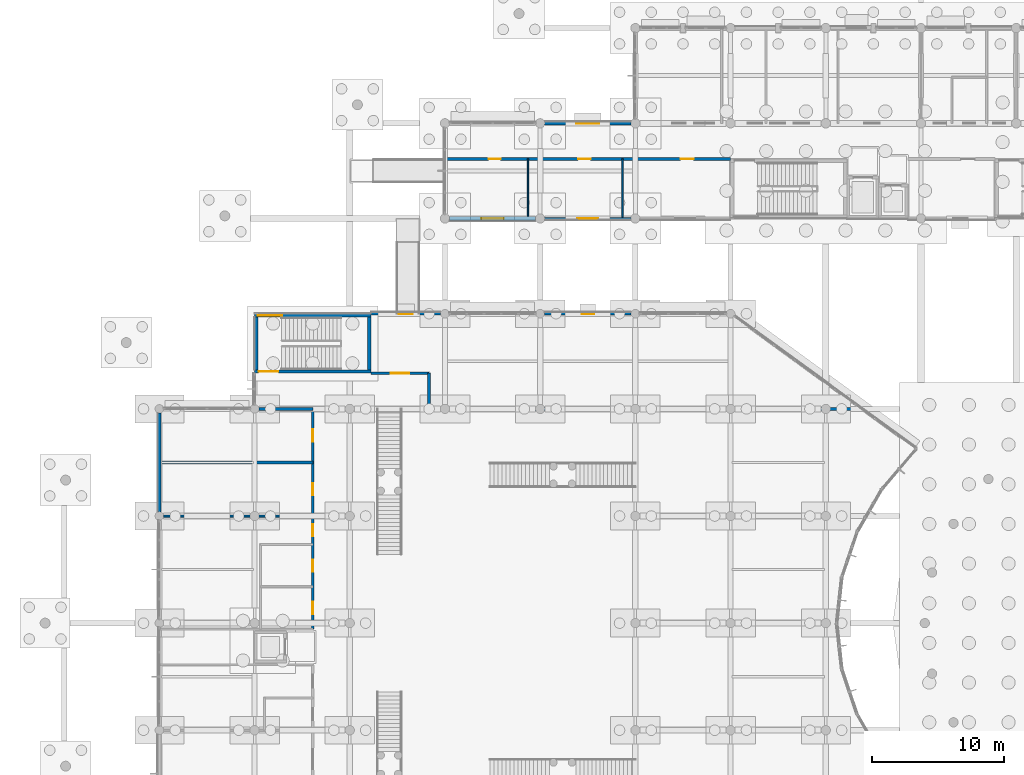
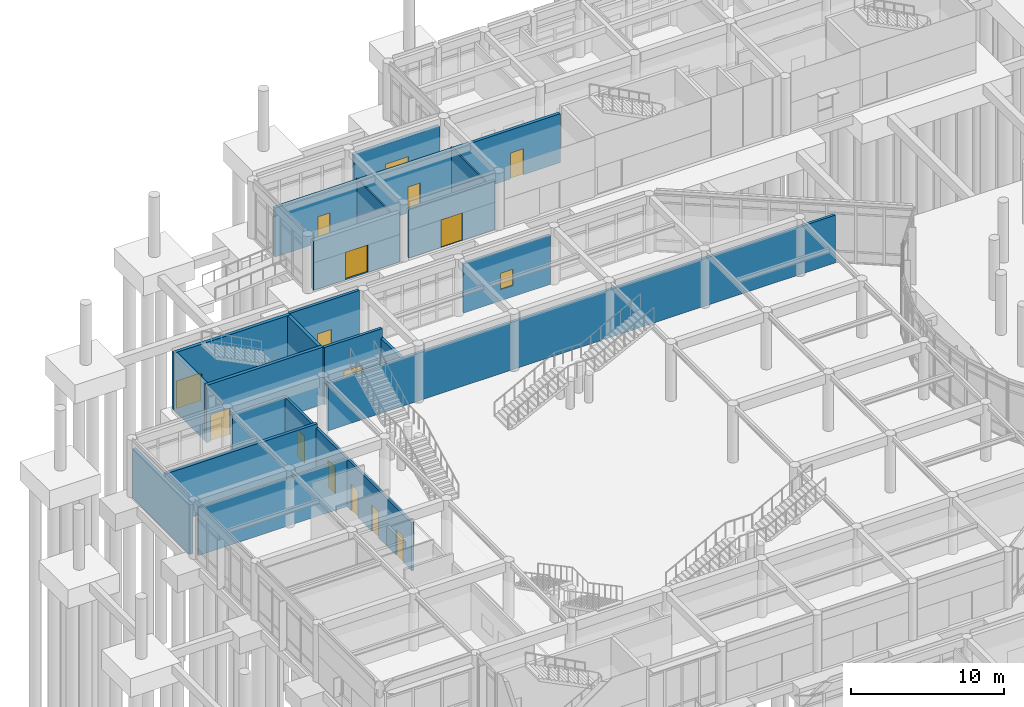
# One storey, part 57 of 103: 20 walls, 13 doors, 3 windows, 16 openings.
"""IFC4 building model written with IfcOpenShell, lengths in metres."""

from ifc_helpers import new_model, si_unit, direction, frame, frame_2d, origin, place, context, subcontext, project, spatial, rectangle, extrude, material, layer, layer_set, type_object, element, fill, save


model = new_model("IFC4")

# Units and contexts
model_context = context("Model", 3, precision=1e-05, world=origin(), true_north=direction((0.0, 1.0)))
body_context = subcontext(model_context, "Body", "Model", "MODEL_VIEW")
ifc_project = project(units=[si_unit("LENGTHUNIT", "METRE"), si_unit("AREAUNIT", "SQUARE_METRE"), si_unit("VOLUMEUNIT", "CUBIC_METRE"), si_unit("PLANEANGLEUNIT", "RADIAN"), si_unit("MASSUNIT", "GRAM", prefix="KILO")], contexts=[model_context])

# Site, building, storey
site_placement = place(None, origin())
site = spatial("IfcSite", under=ifc_project, at=site_placement, CompositionType="ELEMENT")
building_placement = place(site_placement, origin())
building = spatial("IfcBuilding", under=site, at=building_placement, Name="Namkhue Oval Health Centre", CompositionType="ELEMENT")
storey_placement = place(building_placement, origin())
storey = spatial("IfcBuildingStorey", under=building, at=storey_placement, Name="L00", CompositionType="ELEMENT", Elevation=0.0)

# Wall, opening, door
ifc_material_1 = material(Name="Autoclaved aerated concrete blockwork M7.5", Category="masonry")
ifc_layer_1 = layer(ifc_material_1, 0.179931640625)
ifc_layer_set_1 = layer_set([ifc_layer_1], Name="Autoclaved aerated concrete blockwork M7.5")
wall_type_1 = type_object("IfcWallType", Name="EXTERIOR ENVELOPE WALL 180", PredefinedType="STANDARD", material=ifc_layer_set_1)
wall_1_placement = place(storey_placement, frame((43.544921875, 90.0, 0.0), z_axis=(0.0, 0.0, 1.0), x_axis=(1.0, 0.0, 0.0)))
wall_1 = element("IfcWall", 1, at=wall_1_placement, inside=storey, type_object=wall_type_1, Name="Volume V2 L00 Exterior Envelope Wall 17", PredefinedType="STANDARD", context=body_context, shape_type="SweptSolid", body=[
    extrude(rectangle(XDim=6.510009765625, YDim=0.179931640625, at=frame_2d((3.2548828125, 0.0))), origin(), (0.0, 0.0, 1.0), 3.909912109375),
])
opening_1_placement = place(wall_1_placement, frame((2.455078125, 0.0, 0.0)))
opening_1 = element("IfcOpeningElement", 2, at=opening_1_placement, cuts=wall_1, Name="Opening ED-05", PredefinedType="OPENING", context=body_context, shape_type="SweptSolid", body=[
    extrude(rectangle(XDim=1.60009765625, YDim=2.199951171875, at=frame_2d((0.800048828125, 1.10009765625))), frame((0.0, 0.099853515625, 0.0), z_axis=(0.0, -1.0, 0.0), x_axis=(1.0, 0.0, 0.0)), (0.0, 0.0, 1.0), 0.199951171875),
])
ifc_material_2 = material(Name="Anodised aluminium glazed entrance door", Category="aluminium")
door_type_1 = type_object("IfcDoorType", Name="ENTRANCE DOOR 1600X2200", OperationType="DOUBLE_DOOR_SINGLE_SWING", PredefinedType="DOOR", material=ifc_material_2)
door_1_placement = place(opening_1_placement, frame((1.60009765625, 0.0, 0.0), z_axis=(0.0, 0.0, 1.0), x_axis=(-1.0, 0.0, 0.0)))
door_1 = element("IfcDoor", 3, at=door_1_placement, inside=storey, type_object=door_type_1, Name="Volume V2 Main Pedestrian Entrance Exit Door 5", OperationType="DOUBLE_DOOR_SINGLE_SWING", OverallHeight=2.199951171875, OverallWidth=1.60009765625, PredefinedType="DOOR", context=body_context, shape_type="SweptSolid", body=[
    extrude(rectangle(XDim=1.60009765625, YDim=2.199951171875, at=frame_2d((0.800048828125, 1.10009765625))), frame((0.0, 0.02490234375, 0.0), z_axis=(0.0, -1.0, 0.0), x_axis=(1.0, 0.0, 0.0)), (0.0, 0.0, 1.0), 0.050048828125),
])
fill(opening_1, door_1)

# Wall, opening, window
ifc_layer_2 = layer(ifc_material_1, 0.2099609375)
ifc_layer_set_2 = layer_set([ifc_layer_2], Name="Autoclaved aerated concrete blockwork M7.5")
wall_type_2 = type_object("IfcWallType", Name="EXTERIOR ENVELOPE WALL 210", PredefinedType="STANDARD", material=ifc_layer_set_2)
wall_2_placement = place(storey_placement, frame((50.080078125, 82.800048828125, 0.0), z_axis=(0.0, 0.0, 1.0), x_axis=(-1.0, 0.0, 0.0)))
wall_2 = element("IfcWall", 4, at=wall_2_placement, inside=storey, type_object=wall_type_2, Name="Volume V1 L00 Exterior Envelope Wall 4", PredefinedType="STANDARD", context=body_context, shape_type="SweptSolid", body=[
    extrude(rectangle(XDim=6.56005859375, YDim=0.2099609375, at=frame_2d((3.280029296875, 0.0))), origin(), (0.0, 0.0, 1.0), 3.9150390625),
])
opening_2_placement = place(wall_2_placement, frame((2.804931640625, 0.0, 0.89990234375)))
opening_2 = element("IfcOpeningElement", 5, at=opening_2_placement, cuts=wall_2, Name="Opening WN-01", PredefinedType="OPENING", context=body_context, shape_type="SweptSolid", body=[
    extrude(rectangle(XDim=0.949951171875, YDim=1.300048828125, at=frame_2d((0.47509765625, 0.64990234375))), frame((0.0, 0.114990234375, 0.0), z_axis=(0.0, -1.0, 0.0), x_axis=(1.0, 0.0, 0.0)), (0.0, 0.0, 1.0), 0.22998046875),
])
ifc_material_3 = material(Name="Thermally broken low-E laminated double glazing", Category="glass")
window_type_1 = type_object("IfcWindowType", Name="EXTERIOR WINDOW 950X1300", PartitioningType="SINGLE_PANEL", PredefinedType="WINDOW", material=ifc_material_3)
window_1_placement = place(opening_2_placement, origin())
window_1 = element("IfcWindow", 6, at=window_1_placement, inside=storey, type_object=window_type_1, Name="Volume V1 L00 Exterior Window 1", OverallHeight=1.300048828125, OverallWidth=0.949951171875, PartitioningType="SINGLE_PANEL", PredefinedType="WINDOW", context=body_context, shape_type="SweptSolid", body=[
    extrude(rectangle(XDim=0.949951171875, YDim=1.300048828125, at=frame_2d((0.47509765625, 0.64990234375))), frame((0.0, 0.030029296875, 0.0), z_axis=(0.0, -1.0, 0.0), x_axis=(1.0, 0.0, 0.0)), (0.0, 0.0, 1.0), 0.06005859375),
])
fill(opening_2, window_1)

ifc_layer_3 = layer(ifc_material_1, 0.219970703125)
ifc_layer_set_3 = layer_set([ifc_layer_3], Name="Autoclaved aerated concrete blockwork M7.5")
wall_type_3 = type_object("IfcWallType", Name="EXTERIOR ENVELOPE WALL 220", PredefinedType="STANDARD", material=ifc_layer_set_3)
wall_3_placement = place(storey_placement, frame((35.679931640625, 82.800048828125, 0.0), z_axis=(0.0, 0.0, 1.0), x_axis=(-1.0, 0.0, 0.0)))
wall_3 = element("IfcWall", 7, at=wall_3_placement, inside=storey, type_object=wall_type_3, Name="Volume V1 L00 Exterior Envelope Wall 5", PredefinedType="STANDARD", context=body_context, shape_type="SweptSolid", body=[
    extrude(rectangle(XDim=5.27783203125, YDim=0.219970703125, at=frame_2d((2.638916015625, 0.0))), origin(), (0.0, 0.0, 1.0), 4.56494140625),
])
opening_3_placement = place(wall_3_placement, frame((2.114013671875, 0.0, 0.89990234375)))
opening_3 = element("IfcOpeningElement", 8, at=opening_3_placement, cuts=wall_3, Name="Opening WN-02", PredefinedType="OPENING", context=body_context, shape_type="SweptSolid", body=[
    extrude(rectangle(XDim=1.050048828125, YDim=1.300048828125, at=frame_2d((0.52490234375, 0.64990234375))), frame((0.0, 0.119873046875, 0.0), z_axis=(0.0, -1.0, 0.0), x_axis=(1.0, 0.0, 0.0)), (0.0, 0.0, 1.0), 0.239990234375),
])
window_type_2 = type_object("IfcWindowType", Name="EXTERIOR WINDOW 1050X1300", PartitioningType="SINGLE_PANEL", PredefinedType="WINDOW", material=ifc_material_3)
window_2_placement = place(opening_3_placement, origin())
window_2 = element("IfcWindow", 9, at=window_2_placement, inside=storey, type_object=window_type_2, Name="Volume V1 L00 Exterior Window 2", OverallHeight=1.300048828125, OverallWidth=1.050048828125, PartitioningType="SINGLE_PANEL", PredefinedType="WINDOW", context=body_context, shape_type="SweptSolid", body=[
    extrude(rectangle(XDim=1.050048828125, YDim=1.300048828125, at=frame_2d((0.52490234375, 0.64990234375))), frame((0.0, 0.030029296875, 0.0), z_axis=(0.0, -1.0, 0.0), x_axis=(1.0, 0.0, 0.0)), (0.0, 0.0, 1.0), 0.06005859375),
])
fill(opening_3, window_2)

# Wall
ifc_layer_4 = layer(ifc_material_1, 0.22998046875)
ifc_layer_set_4 = layer_set([ifc_layer_4], Name="Autoclaved aerated concrete blockwork M7.5")
wall_type_4 = type_object("IfcWallType", Name="EXTERIOR ENVELOPE WALL 230", PredefinedType="STANDARD", material=ifc_layer_set_4)
wall_4_placement = place(storey_placement, frame((14.39990234375, 75.280029296875, 0.0), z_axis=(0.0, 0.0, 1.0), x_axis=(0.0, -1.0, 0.0)))
element("IfcWall", 10, at=wall_4_placement, inside=storey, type_object=wall_type_4, Name="Volume V1 L00 Exterior Envelope Wall 6", PredefinedType="STANDARD", context=body_context, shape_type="SweptSolid", body=[
    extrude(rectangle(XDim=7.4599609375, YDim=0.22998046875, at=frame_2d((3.72998046875, 0.0))), origin(), (0.0, 0.0, 1.0), 3.93994140625),
])

# Wall, opening, window
ifc_layer_5 = layer(ifc_material_1, 0.27001953125)
ifc_layer_set_5 = layer_set([ifc_layer_5], Name="Autoclaved aerated concrete blockwork M7.5")
wall_type_5 = type_object("IfcWallType", Name="EXTERIOR ENVELOPE WALL 270", PredefinedType="STANDARD", material=ifc_layer_set_5)
wall_5_placement = place(storey_placement, frame((50.054931640625, 97.199951171875, 0.0), z_axis=(0.0, 0.0, 1.0), x_axis=(-1.0, 0.0, 0.0)))
wall_5 = element("IfcWall", 11, at=wall_5_placement, inside=storey, type_object=wall_type_5, Name="Volume V2 L00 Exterior Envelope Wall 26", PredefinedType="STANDARD", context=body_context, shape_type="SweptSolid", body=[
    extrude(rectangle(XDim=6.510009765625, YDim=0.27001953125, at=frame_2d((3.2548828125, 0.0))), origin(), (0.0, 0.0, 1.0), 3.909912109375),
])
opening_4_placement = place(wall_5_placement, frame((2.3798828125, 0.0, 0.89990234375)))
opening_4 = element("IfcOpeningElement", 12, at=opening_4_placement, cuts=wall_5, Name="Opening WN-17", PredefinedType="OPENING", context=body_context, shape_type="SweptSolid", body=[
    extrude(rectangle(XDim=1.75, YDim=1.419921875, at=frame_2d((0.875, 0.7099609375))), frame((0.0, 0.14501953125, 0.0), z_axis=(0.0, -1.0, 0.0), x_axis=(1.0, 0.0, 0.0)), (0.0, 0.0, 1.0), 0.2900390625),
])
window_type_3 = type_object("IfcWindowType", Name="EXTERIOR WINDOW 1750X1420", PartitioningType="SINGLE_PANEL", PredefinedType="WINDOW", material=ifc_material_3)
window_3_placement = place(opening_4_placement, origin())
window_3 = element("IfcWindow", 13, at=window_3_placement, inside=storey, type_object=window_type_3, Name="Volume V2 L00 Exterior Window 17", OverallHeight=1.419921875, OverallWidth=1.75, PartitioningType="SINGLE_PANEL", PredefinedType="WINDOW", context=body_context, shape_type="SweptSolid", body=[
    extrude(rectangle(XDim=1.75, YDim=1.419921875, at=frame_2d((0.875, 0.7099609375))), frame((0.0, 0.030029296875, 0.0), z_axis=(0.0, -1.0, 0.0), x_axis=(1.0, 0.0, 0.0)), (0.0, 0.0, 1.0), 0.06005859375),
])
fill(opening_4, window_3)

# Wall, opening, door
ifc_layer_6 = layer(ifc_material_1, 0.330078125)
ifc_layer_set_6 = layer_set([ifc_layer_6], Name="Autoclaved aerated concrete blockwork M7.5")
wall_type_6 = type_object("IfcWallType", Name="EXTERIOR ENVELOPE WALL 330", PredefinedType="STANDARD", material=ifc_layer_set_6)
wall_6_placement = place(storey_placement, frame((36.344970703125, 90.0, 0.0), z_axis=(0.0, 0.0, 1.0), x_axis=(1.0, 0.0, 0.0)))
wall_6 = element("IfcWall", 14, at=wall_6_placement, inside=storey, type_object=wall_type_6, Name="Volume V2 L00 Exterior Envelope Wall 16", PredefinedType="STANDARD", context=body_context, shape_type="SweptSolid", body=[
    extrude(rectangle(XDim=6.510009765625, YDim=0.330078125, at=frame_2d((3.2548828125, 0.0))), origin(), (0.0, 0.0, 1.0), 3.909912109375),
])
opening_5_placement = place(wall_6_placement, frame((2.4150390625, 0.0, 0.0)))
opening_5 = element("IfcOpeningElement", 15, at=opening_5_placement, cuts=wall_6, Name="Opening ED-04", PredefinedType="OPENING", context=body_context, shape_type="SweptSolid", body=[
    extrude(rectangle(XDim=1.679931640625, YDim=2.199951171875, at=frame_2d((0.83984375, 1.10009765625))), frame((0.0, 0.175048828125, 0.0), z_axis=(0.0, -1.0, 0.0), x_axis=(1.0, 0.0, 0.0)), (0.0, 0.0, 1.0), 0.35009765625),
])
door_type_2 = type_object("IfcDoorType", Name="ENTRANCE DOOR 1680X2200", OperationType="DOUBLE_DOOR_SINGLE_SWING", PredefinedType="DOOR", material=ifc_material_2)
door_2_placement = place(opening_5_placement, frame((1.679931640625, 0.0, 0.0), z_axis=(0.0, 0.0, 1.0), x_axis=(-1.0, 0.0, 0.0)))
door_2 = element("IfcDoor", 16, at=door_2_placement, inside=storey, type_object=door_type_2, Name="Volume V2 Main Pedestrian Entrance Exit Door 4", OperationType="DOUBLE_DOOR_SINGLE_SWING", OverallHeight=2.199951171875, OverallWidth=1.679931640625, PredefinedType="DOOR", context=body_context, shape_type="SweptSolid", body=[
    extrude(rectangle(XDim=1.679931640625, YDim=2.199951171875, at=frame_2d((0.83984375, 1.10009765625))), frame((0.0, 0.02490234375, 0.0), z_axis=(0.0, -1.0, 0.0), x_axis=(1.0, 0.0, 0.0)), (0.0, 0.0, 1.0), 0.050048828125),
])
fill(opening_5, door_2)

# Wall, openings, doors
ifc_material_4 = material(Name="Gypsum plasterboard acoustic partition", Category="gypsum")
ifc_layer_7 = layer(ifc_material_4, 0.18505859375)
ifc_layer_set_7 = layer_set([ifc_layer_7], Name="Gypsum plasterboard acoustic partition")
wall_type_7 = type_object("IfcWallType", Name="FIRE PARTITION WALL 185", PredefinedType="PARTITIONING", material=ifc_layer_set_7)
wall_7_placement = place(storey_placement, frame((26.0, 58.949951171875, 0.0), z_axis=(0.0, 0.0, 1.0), x_axis=(0.0, 1.0, 0.0)))
wall_7 = element("IfcWall", 17, at=wall_7_placement, inside=storey, type_object=wall_type_7, Name="Volume V1 L00 Clinical Partition Wall 2", PredefinedType="PARTITIONING", context=body_context, shape_type="SweptSolid", body=[
    extrude(rectangle(XDim=16.650146484375, YDim=0.18505859375, at=frame_2d((8.3251953125, 0.0))), origin(), (0.0, 0.0, 1.0), 3.81494140625),
])
opening_6_placement = place(wall_7_placement, frame((1.1298828125, 0.0, 0.0)))
opening_6 = element("IfcOpeningElement", 18, at=opening_6_placement, cuts=wall_7, Name="Opening CD-02", PredefinedType="OPENING", context=body_context, shape_type="SweptSolid", body=[
    extrude(rectangle(XDim=0.93994140625, YDim=2.080078125, at=frame_2d((0.469970703125, 1.0400390625))), frame((0.0, 0.1025390625, 0.0), z_axis=(0.0, -1.0, 0.0), x_axis=(1.0, 0.0, 0.0)), (0.0, 0.0, 1.0), 0.205078125),
])
opening_7_placement = place(wall_7_placement, frame((4.35009765625, 0.0, 0.0)))
opening_7 = element("IfcOpeningElement", 19, at=opening_7_placement, cuts=wall_7, Name="Opening CD-01", PredefinedType="OPENING", context=body_context, shape_type="SweptSolid", body=[
    extrude(rectangle(XDim=0.89990234375, YDim=2.080078125, at=frame_2d((0.449951171875, 1.0400390625))), frame((0.0, 0.1025390625, 0.0), z_axis=(0.0, -1.0, 0.0), x_axis=(1.0, 0.0, 0.0)), (0.0, 0.0, 1.0), 0.205078125),
])
opening_8_placement = place(wall_7_placement, frame((7.02001953125, 0.0, 0.0)))
opening_8 = element("IfcOpeningElement", 20, at=opening_8_placement, cuts=wall_7, Name="Opening CD-07", PredefinedType="OPENING", context=body_context, shape_type="SweptSolid", body=[
    extrude(rectangle(XDim=0.89990234375, YDim=2.1298828125, at=frame_2d((0.449951171875, 1.06494140625))), frame((0.0, 0.1025390625, 0.0), z_axis=(0.0, -1.0, 0.0), x_axis=(1.0, 0.0, 0.0)), (0.0, 0.0, 1.0), 0.205078125),
])
opening_9_placement = place(wall_7_placement, frame((10.1201171875, 0.0, 0.0)))
opening_9 = element("IfcOpeningElement", 21, at=opening_9_placement, cuts=wall_7, Name="Opening CD-07", PredefinedType="OPENING", context=body_context, shape_type="SweptSolid", body=[
    extrude(rectangle(XDim=0.89990234375, YDim=2.1298828125, at=frame_2d((0.449951171875, 1.06494140625))), frame((0.0, 0.1025390625, 0.0), z_axis=(0.0, -1.0, 0.0), x_axis=(1.0, 0.0, 0.0)), (0.0, 0.0, 1.0), 0.205078125),
])
opening_10_placement = place(wall_7_placement, frame((14.155029296875, 0.0, 0.0)))
opening_10 = element("IfcOpeningElement", 22, at=opening_10_placement, cuts=wall_7, Name="Opening CD-08", PredefinedType="OPENING", context=body_context, shape_type="SweptSolid", body=[
    extrude(rectangle(XDim=0.949951171875, YDim=2.1298828125, at=frame_2d((0.47509765625, 1.06494140625))), frame((0.0, 0.1025390625, 0.0), z_axis=(0.0, -1.0, 0.0), x_axis=(1.0, 0.0, 0.0)), (0.0, 0.0, 1.0), 0.205078125),
])
ifc_material_5 = material(Name="High-pressure laminate timber clinical door", Category="wood")
door_type_3 = type_object("IfcDoorType", Name="CLINICAL DOOR 900X2080", OperationType="NOTDEFINED", PredefinedType="DOOR", material=ifc_material_5)
door_3_placement = place(opening_7_placement, origin())
door_3 = element("IfcDoor", 23, at=door_3_placement, inside=storey, type_object=door_type_3, Name="Volume V1 L00 Female Public Washroom Door 5", OperationType="SINGLE_SWING_LEFT", OverallHeight=2.080078125, OverallWidth=0.89990234375, PredefinedType="DOOR", context=body_context, shape_type="SweptSolid", body=[
    extrude(rectangle(XDim=0.89990234375, YDim=2.080078125, at=frame_2d((0.449951171875, 1.0400390625))), frame((0.0, 0.02490234375, 0.0), z_axis=(0.0, -1.0, 0.0), x_axis=(1.0, 0.0, 0.0)), (0.0, 0.0, 1.0), 0.050048828125),
])
fill(opening_7, door_3)
door_type_4 = type_object("IfcDoorType", Name="CLINICAL DOOR 900X2130", OperationType="NOTDEFINED", PredefinedType="DOOR", material=ifc_material_5)
door_4_placement = place(opening_8_placement, origin())
door_4 = element("IfcDoor", 24, at=door_4_placement, inside=storey, type_object=door_type_4, Name="Volume V1 L00 Pharmacy Cold Chain Store Door 6", OperationType="SINGLE_SWING_RIGHT", OverallHeight=2.1298828125, OverallWidth=0.89990234375, PredefinedType="DOOR", context=body_context, shape_type="SweptSolid", body=[
    extrude(rectangle(XDim=0.89990234375, YDim=2.1298828125, at=frame_2d((0.449951171875, 1.06494140625))), frame((0.0, 0.02490234375, 0.0), z_axis=(0.0, -1.0, 0.0), x_axis=(1.0, 0.0, 0.0)), (0.0, 0.0, 1.0), 0.050048828125),
])
fill(opening_8, door_4)
door_5_placement = place(opening_9_placement, origin())
door_5 = element("IfcDoor", 25, at=door_5_placement, inside=storey, type_object=door_type_4, Name="Volume V1 L00 Fire Control Room Door 7", OperationType="SINGLE_SWING_LEFT", OverallHeight=2.1298828125, OverallWidth=0.89990234375, PredefinedType="DOOR", context=body_context, shape_type="SweptSolid", body=[
    extrude(rectangle(XDim=0.89990234375, YDim=2.1298828125, at=frame_2d((0.449951171875, 1.06494140625))), frame((0.0, 0.02490234375, 0.0), z_axis=(0.0, -1.0, 0.0), x_axis=(1.0, 0.0, 0.0)), (0.0, 0.0, 1.0), 0.050048828125),
])
fill(opening_9, door_5)
door_type_5 = type_object("IfcDoorType", Name="CLINICAL DOOR 940X2080", OperationType="NOTDEFINED", PredefinedType="DOOR", material=ifc_material_5)
door_6_placement = place(opening_6_placement, origin())
door_6 = element("IfcDoor", 26, at=door_6_placement, inside=storey, type_object=door_type_5, Name="Volume V1 L00 Male Public Washroom Door 4", OperationType="SINGLE_SWING_RIGHT", OverallHeight=2.080078125, OverallWidth=0.93994140625, PredefinedType="DOOR", context=body_context, shape_type="SweptSolid", body=[
    extrude(rectangle(XDim=0.93994140625, YDim=2.080078125, at=frame_2d((0.469970703125, 1.0400390625))), frame((0.0, 0.02490234375, 0.0), z_axis=(0.0, -1.0, 0.0), x_axis=(1.0, 0.0, 0.0)), (0.0, 0.0, 1.0), 0.050048828125),
])
fill(opening_6, door_6)
door_type_6 = type_object("IfcDoorType", Name="CLINICAL DOOR 950X2130", OperationType="NOTDEFINED", PredefinedType="DOOR", material=ifc_material_5)
door_7_placement = place(opening_10_placement, origin())
door_7 = element("IfcDoor", 27, at=door_7_placement, inside=storey, type_object=door_type_6, Name="Volume V1 L00 Main Electrical Plant Room Door 8", OperationType="SINGLE_SWING_RIGHT", OverallHeight=2.1298828125, OverallWidth=0.949951171875, PredefinedType="DOOR", context=body_context, shape_type="SweptSolid", body=[
    extrude(rectangle(XDim=0.949951171875, YDim=2.1298828125, at=frame_2d((0.47509765625, 1.06494140625))), frame((0.0, 0.02490234375, 0.0), z_axis=(0.0, -1.0, 0.0), x_axis=(1.0, 0.0, 0.0)), (0.0, 0.0, 1.0), 0.050048828125),
])
fill(opening_10, door_7)

# Walls
ifc_layer_8 = layer(ifc_material_4, 0.205078125)
ifc_layer_set_8 = layer_set([ifc_layer_8], Name="Gypsum plasterboard acoustic partition")
wall_type_8 = type_object("IfcWallType", Name="FIRE PARTITION WALL 205", PredefinedType="PARTITIONING", material=ifc_layer_set_8)
wall_8_placement = place(storey_placement, frame((21.925048828125, 75.60009765625, 0.0), z_axis=(0.0, 0.0, 1.0), x_axis=(1.0, 0.0, 0.0)))
element("IfcWall", 28, at=wall_8_placement, inside=storey, type_object=wall_type_8, Name="Volume V1 L00 Clinical Partition Wall 4", PredefinedType="PARTITIONING", context=body_context, shape_type="SweptSolid", body=[
    extrude(rectangle(XDim=4.074951171875, YDim=0.205078125, at=frame_2d((2.03759765625, 0.0))), origin(), (0.0, 0.0, 1.0), 3.81494140625),
])
wall_9_placement = place(storey_placement, frame((29.14990234375, 75.60009765625, 0.0), z_axis=(0.0, 0.0, 1.0), x_axis=(1.0, 0.0, 0.0)))
element("IfcWall", 29, at=wall_9_placement, inside=storey, type_object=wall_type_8, Name="Volume V1 L00 Clinical Partition Wall 18", PredefinedType="PARTITIONING", context=body_context, shape_type="SweptSolid", body=[
    extrude(rectangle(XDim=38.289794921875, YDim=0.205078125, at=frame_2d((19.14501953125, 0.0))), origin(), (0.0, 0.0, 1.0), 3.81494140625),
])

# Wall, opening, door
ifc_layer_9 = layer(ifc_material_4, 0.215087890625)
ifc_layer_set_9 = layer_set([ifc_layer_9], Name="Gypsum plasterboard acoustic partition")
wall_type_9 = type_object("IfcWallType", Name="FIRE PARTITION WALL 215", PredefinedType="PARTITIONING", material=ifc_layer_set_9)
wall_10_placement = place(storey_placement, frame((30.419921875, 78.300048828125, 0.0), z_axis=(0.0, 0.0, 1.0), x_axis=(1.0, 0.0, 0.0)))
wall_10 = element("IfcWall", 30, at=wall_10_placement, inside=storey, type_object=wall_type_9, Name="Volume V1 L00 Clinical Partition Wall 19", PredefinedType="PARTITIONING", context=body_context, shape_type="SweptSolid", body=[
    extrude(rectangle(XDim=4.380126953125, YDim=0.215087890625, at=frame_2d((2.18994140625, 0.0))), origin(), (0.0, 0.0, 1.0), 4.56494140625),
])
opening_11_placement = place(wall_10_placement, frame((1.47998046875, 0.0, 0.0)))
opening_11 = element("IfcOpeningElement", 31, at=opening_11_placement, cuts=wall_10, Name="Opening CDD-02", PredefinedType="OPENING", context=body_context, shape_type="SweptSolid", body=[
    extrude(rectangle(XDim=1.39990234375, YDim=2.159912109375, at=frame_2d((0.699951171875, 1.080078125))), frame((0.0, 0.117431640625, 0.0), z_axis=(0.0, -1.0, 0.0), x_axis=(1.0, 0.0, 0.0)), (0.0, 0.0, 1.0), 0.235107421875),
])
ifc_material_6 = material(Name="Powder-coated steel fire door assembly", Category="steel")
door_type_7 = type_object("IfcDoorType", Name="CLINICAL DOOR DOUBLE 1400X2160", OperationType="DOUBLE_DOOR_SINGLE_SWING", PredefinedType="DOOR", material=ifc_material_6)
door_8_placement = place(opening_11_placement, frame((1.39990234375, 0.0, 0.0), z_axis=(0.0, 0.0, 1.0), x_axis=(-1.0, 0.0, 0.0)))
door_8 = element("IfcDoor", 32, at=door_8_placement, inside=storey, type_object=door_type_7, Name="Volume V1 L00 Public Health Cafe Door 10", OperationType="DOUBLE_DOOR_SINGLE_SWING", OverallHeight=2.159912109375, OverallWidth=1.39990234375, PredefinedType="DOOR", context=body_context, shape_type="SweptSolid", body=[
    extrude(rectangle(XDim=1.39990234375, YDim=2.159912109375, at=frame_2d((0.699951171875, 1.080078125))), frame((0.0, 0.02490234375, 0.0), z_axis=(0.0, -1.0, 0.0), x_axis=(1.0, 0.0, 0.0)), (0.0, 0.0, 1.0), 0.050048828125),
])
fill(opening_11, door_8)

# Walls
ifc_material_7 = material(Name="Lead-lined barium plasterboard radiation partition", Category="gypsum")
ifc_layer_10 = layer(ifc_material_7, 0.22509765625)
ifc_layer_set_10 = layer_set([ifc_layer_10], Name="Lead-lined barium plasterboard radiation partition")
wall_type_10 = type_object("IfcWallType", Name="FIRE PARTITION WALL 225", PredefinedType="PARTITIONING", material=ifc_layer_set_10)
wall_11_placement = place(storey_placement, frame((34.800048828125, 75.60009765625, 0.0), z_axis=(0.0, 0.0, 1.0), x_axis=(0.0, 1.0, 0.0)))
element("IfcWall", 33, at=wall_11_placement, inside=storey, type_object=wall_type_10, Name="Volume V1 L00 Clinical Partition Wall 20", PredefinedType="PARTITIONING", context=body_context, shape_type="SweptSolid", body=[
    extrude(rectangle(XDim=2.699951171875, YDim=0.22509765625, at=frame_2d((1.35009765625, 0.0))), origin(), (0.0, 0.0, 1.0), 3.81494140625),
])
ifc_layer_11 = layer(ifc_material_7, 0.235107421875)
ifc_layer_set_11 = layer_set([ifc_layer_11], Name="Lead-lined barium plasterboard radiation partition")
wall_type_11 = type_object("IfcWallType", Name="FIRE PARTITION WALL 235", PredefinedType="PARTITIONING", material=ifc_layer_set_11)
wall_12_placement = place(storey_placement, frame((14.537109375, 71.550048828125, 0.0), z_axis=(0.0, 0.0, 1.0), x_axis=(1.0, 0.0, 0.0)))
element("IfcWall", 34, at=wall_12_placement, inside=storey, type_object=wall_type_11, Name="Volume V1 L00 Clinical Partition Wall 14", PredefinedType="PARTITIONING", context=body_context, shape_type="SweptSolid", body=[
    extrude(rectangle(XDim=11.462890625, YDim=0.235107421875, at=frame_2d((5.7314453125, 0.0))), origin(), (0.0, 0.0, 1.0), 4.139892578125),
])

# Wall, openings, doors
wall_13_placement = place(storey_placement, frame((36.0400390625, 94.5, 0.0), z_axis=(0.0, 0.0, 1.0), x_axis=(1.0, 0.0, 0.0)))
wall_13 = element("IfcWall", 35, at=wall_13_placement, inside=storey, type_object=wall_type_11, Name="Volume V2 L00 Clinical Partition Wall 42", PredefinedType="PARTITIONING", context=body_context, shape_type="SweptSolid", body=[
    extrude(rectangle(XDim=21.5400390625, YDim=0.235107421875, at=frame_2d((10.77001953125, 0.0))), origin(), (0.0, 0.0, 1.0), 3.909912109375),
])
opening_12_placement = place(wall_13_placement, frame((3.261962890625, 0.0, 0.0)))
opening_12 = element("IfcOpeningElement", 36, at=opening_12_placement, cuts=wall_13, Name="Opening CD-01", PredefinedType="OPENING", context=body_context, shape_type="SweptSolid", body=[
    extrude(rectangle(XDim=0.89990234375, YDim=2.080078125, at=frame_2d((0.449951171875, 1.0400390625))), frame((0.0, 0.12744140625, 0.0), z_axis=(0.0, -1.0, 0.0), x_axis=(1.0, 0.0, 0.0)), (0.0, 0.0, 1.0), 0.255126953125),
])
opening_13_placement = place(wall_13_placement, frame((10.030029296875, 0.0, 0.0)))
opening_13 = element("IfcOpeningElement", 37, at=opening_13_placement, cuts=wall_13, Name="Opening CD-02", PredefinedType="OPENING", context=body_context, shape_type="SweptSolid", body=[
    extrude(rectangle(XDim=0.93994140625, YDim=2.080078125, at=frame_2d((0.469970703125, 1.0400390625))), frame((0.0, 0.12744140625, 0.0), z_axis=(0.0, -1.0, 0.0), x_axis=(1.0, 0.0, 0.0)), (0.0, 0.0, 1.0), 0.255126953125),
])
opening_14_placement = place(wall_13_placement, frame((17.7900390625, 0.0, 0.0)))
opening_14 = element("IfcOpeningElement", 38, at=opening_14_placement, cuts=wall_13, Name="Opening CD-03", PredefinedType="OPENING", context=body_context, shape_type="SweptSolid", body=[
    extrude(rectangle(XDim=0.97998046875, YDim=2.080078125, at=frame_2d((0.489990234375, 1.0400390625))), frame((0.0, 0.12744140625, 0.0), z_axis=(0.0, -1.0, 0.0), x_axis=(1.0, 0.0, 0.0)), (0.0, 0.0, 1.0), 0.255126953125),
])
door_9_placement = place(opening_12_placement, frame((0.89990234375, 0.0, 0.0), z_axis=(0.0, 0.0, 1.0), x_axis=(-1.0, 0.0, 0.0)))
door_9 = element("IfcDoor", 39, at=door_9_placement, inside=storey, type_object=door_type_3, Name="Volume V2 L00 Community Triage Consultation Door 29", OperationType="SINGLE_SWING_LEFT", OverallHeight=2.080078125, OverallWidth=0.89990234375, PredefinedType="DOOR", context=body_context, shape_type="SweptSolid", body=[
    extrude(rectangle(XDim=0.89990234375, YDim=2.080078125, at=frame_2d((0.449951171875, 1.0400390625))), frame((0.0, 0.02490234375, 0.0), z_axis=(0.0, -1.0, 0.0), x_axis=(1.0, 0.0, 0.0)), (0.0, 0.0, 1.0), 0.050048828125),
])
fill(opening_12, door_9)
door_10_placement = place(opening_13_placement, frame((0.93994140625, 0.0, 0.0), z_axis=(0.0, 0.0, 1.0), x_axis=(-1.0, 0.0, 0.0)))
door_10 = element("IfcDoor", 40, at=door_10_placement, inside=storey, type_object=door_type_5, Name="Volume V2 L00 Travel Medicine Immunisation Suite Door 30", OperationType="SINGLE_SWING_RIGHT", OverallHeight=2.080078125, OverallWidth=0.93994140625, PredefinedType="DOOR", context=body_context, shape_type="SweptSolid", body=[
    extrude(rectangle(XDim=0.93994140625, YDim=2.080078125, at=frame_2d((0.469970703125, 1.0400390625))), frame((0.0, 0.02490234375, 0.0), z_axis=(0.0, -1.0, 0.0), x_axis=(1.0, 0.0, 0.0)), (0.0, 0.0, 1.0), 0.050048828125),
])
fill(opening_13, door_10)
door_type_8 = type_object("IfcDoorType", Name="CLINICAL DOOR 980X2080", OperationType="NOTDEFINED", PredefinedType="DOOR", material=ifc_material_5)
door_11_placement = place(opening_14_placement, frame((0.97998046875, 0.0, 0.0), z_axis=(0.0, 0.0, 1.0), x_axis=(-1.0, 0.0, 0.0)))
door_11 = element("IfcDoor", 41, at=door_11_placement, inside=storey, type_object=door_type_8, Name="Volume V2 L00 Paediatric Growth Assessment Room Door 31", OperationType="SINGLE_SWING_LEFT", OverallHeight=2.080078125, OverallWidth=0.97998046875, PredefinedType="DOOR", context=body_context, shape_type="SweptSolid", body=[
    extrude(rectangle(XDim=0.97998046875, YDim=2.080078125, at=frame_2d((0.489990234375, 1.0400390625))), frame((0.0, 0.02490234375, 0.0), z_axis=(0.0, -1.0, 0.0), x_axis=(1.0, 0.0, 0.0)), (0.0, 0.0, 1.0), 0.050048828125),
])
fill(opening_14, door_11)

# Walls
ifc_layer_12 = layer(ifc_material_4, 0.10009765625)
ifc_layer_set_12 = layer_set([ifc_layer_12], Name="Gypsum plasterboard acoustic partition")
wall_type_12 = type_object("IfcWallType", Name="INTERIOR PARTITION WALL 100", PredefinedType="PARTITIONING", material=ifc_layer_set_12)
wall_14_placement = place(storey_placement, frame((42.27294921875, 90.18701171875, 0.0), z_axis=(0.0, 0.0, 1.0), x_axis=(0.0, 1.0, 0.0)))
element("IfcWall", 42, at=wall_14_placement, inside=storey, type_object=wall_type_12, Name="Volume V2 L00 Clinical Partition Wall 43", PredefinedType="PARTITIONING", context=body_context, shape_type="SweptSolid", body=[
    extrude(rectangle(XDim=4.31298828125, YDim=0.10009765625, at=frame_2d((2.156494140625, 0.0))), origin(), (0.0, 0.0, 1.0), 4.06005859375),
])
ifc_layer_13 = layer(ifc_material_4, 0.110107421875)
ifc_layer_set_13 = layer_set([ifc_layer_13], Name="Gypsum plasterboard acoustic partition")
wall_type_13 = type_object("IfcWallType", Name="INTERIOR PARTITION WALL 110", PredefinedType="PARTITIONING", material=ifc_layer_set_13)
wall_15_placement = place(storey_placement, frame((49.419921875, 90.112060546875, 0.0), z_axis=(0.0, 0.0, 1.0), x_axis=(0.0, 1.0, 0.0)))
element("IfcWall", 43, at=wall_15_placement, inside=storey, type_object=wall_type_13, Name="Volume V2 L00 Clinical Partition Wall 44", PredefinedType="PARTITIONING", context=body_context, shape_type="SweptSolid", body=[
    extrude(rectangle(XDim=4.387939453125, YDim=0.110107421875, at=frame_2d((2.19384765625, 0.0))), origin(), (0.0, 0.0, 1.0), 4.06005859375),
])
ifc_layer_14 = layer(ifc_material_4, 0.14990234375)
ifc_layer_set_14 = layer_set([ifc_layer_14], Name="Gypsum plasterboard acoustic partition")
wall_type_14 = type_object("IfcWallType", Name="INTERIOR PARTITION WALL 150", PredefinedType="PARTITIONING", material=ifc_layer_set_14)
wall_16_placement = place(storey_placement, frame((14.72509765625, 67.5, 0.0), z_axis=(0.0, 0.0, 1.0), x_axis=(1.0, 0.0, 0.0)))
element("IfcWall", 44, at=wall_16_placement, inside=storey, type_object=wall_type_14, Name="Volume V1 L00 Clinical Partition Wall 13", PredefinedType="PARTITIONING", context=body_context, shape_type="SweptSolid", body=[
    extrude(rectangle(XDim=11.27490234375, YDim=0.14990234375, at=frame_2d((5.637451171875, 0.0))), origin(), (0.0, 0.0, 1.0), 3.81494140625),
])

# Wall, opening, door
ifc_material_8 = material(Name="Reinforced concrete C35/45 (TCVN B40)", Category="concrete")
ifc_layer_15 = layer(ifc_material_8, 0.25)
ifc_layer_set_15 = layer_set([ifc_layer_15], Name="Reinforced concrete C35/45 (TCVN B40)")
wall_type_15 = type_object("IfcWallType", Name="SHEAR CORE WALL EXT 250", PredefinedType="SHEAR", material=ifc_layer_set_15)
wall_17_placement = place(storey_placement, frame((30.39990234375, 82.675048828125, 0.0), z_axis=(0.0, 0.0, 1.0), x_axis=(-1.0, 0.0, 0.0)))
wall_17 = element("IfcWall", 45, at=wall_17_placement, inside=storey, type_object=wall_type_15, Name="Core SC-02 L00 Shear Wall N", PredefinedType="SHEAR", context=body_context, shape_type="SweptSolid", body=[
    extrude(rectangle(XDim=8.7998046875, YDim=0.25, at=frame_2d((4.39990234375, 0.0))), origin(), (0.0, 0.0, 1.0), 4.56494140625),
])
opening_15_placement = place(wall_17_placement, frame((6.699951171875, 0.0, 0.0)))
opening_15 = element("IfcOpeningElement", 46, at=opening_15_placement, cuts=wall_17, Name="Opening SD-E1", PredefinedType="OPENING", context=body_context, shape_type="SweptSolid", body=[
    extrude(rectangle(XDim=1.85009765625, YDim=2.199951171875, at=frame_2d((0.925048828125, 1.10009765625))), frame((0.0, 0.135009765625, 0.0), z_axis=(0.0, -1.0, 0.0), x_axis=(1.0, 0.0, 0.0)), (0.0, 0.0, 1.0), 0.27001953125),
])
door_type_9 = type_object("IfcDoorType", Name="ENTRANCE DOOR STAIR EXIT 1850X2200", OperationType="DOUBLE_DOOR_SINGLE_SWING", PredefinedType="DOOR", material=ifc_material_6)
door_12_placement = place(opening_15_placement, frame((1.85009765625, 0.0, 0.0), z_axis=(0.0, 0.0, 1.0), x_axis=(-1.0, 0.0, 0.0)))
door_12 = element("IfcDoor", 47, at=door_12_placement, inside=storey, type_object=door_type_9, Name="Stair ST-02 Ground Final Exit Discharge Door", OperationType="DOUBLE_DOOR_SINGLE_SWING", OverallHeight=2.199951171875, OverallWidth=1.85009765625, PredefinedType="DOOR", context=body_context, shape_type="SweptSolid", body=[
    extrude(rectangle(XDim=1.85009765625, YDim=2.199951171875, at=frame_2d((0.925048828125, 1.10009765625))), frame((0.0, 0.02490234375, 0.0), z_axis=(0.0, -1.0, 0.0), x_axis=(1.0, 0.0, 0.0)), (0.0, 0.0, 1.0), 0.050048828125),
])
fill(opening_15, door_12)

# Wall
wall_18_placement = place(storey_placement, frame((21.72509765625, 82.550048828125, 0.0), z_axis=(0.0, 0.0, 1.0), x_axis=(0.0, -1.0, 0.0)))
element("IfcWall", 48, at=wall_18_placement, inside=storey, type_object=wall_type_15, Name="Core SC-02 L00 Shear Wall W", PredefinedType="SHEAR", context=body_context, shape_type="SweptSolid", body=[
    extrude(rectangle(XDim=4.0, YDim=0.25, at=frame_2d((2.0, 0.0))), origin(), (0.0, 0.0, 1.0), 4.56494140625),
])

# Wall, opening, door
ifc_layer_16 = layer(ifc_material_8, 0.25)
ifc_layer_set_16 = layer_set([ifc_layer_16], Name="Reinforced concrete C35/45 (TCVN B40)")
wall_type_16 = type_object("IfcWallType", Name="SHEAR CORE WALL INT 250", PredefinedType="SHEAR", material=ifc_layer_set_16)
wall_19_placement = place(storey_placement, frame((21.60009765625, 78.425048828125, 0.0), z_axis=(0.0, 0.0, 1.0), x_axis=(1.0, 0.0, 0.0)))
wall_19 = element("IfcWall", 49, at=wall_19_placement, inside=storey, type_object=wall_type_16, Name="Core SC-02 L00 Shear Wall S", PredefinedType="SHEAR", context=body_context, shape_type="SweptSolid", body=[
    extrude(rectangle(XDim=8.7998046875, YDim=0.25, at=frame_2d((4.39990234375, 0.0))), origin(), (0.0, 0.0, 1.0), 4.56494140625),
])
opening_16_placement = place(wall_19_placement, frame((0.300048828125, 0.0, 0.0)))
opening_16 = element("IfcOpeningElement", 50, at=opening_16_placement, cuts=wall_19, Name="Opening SD-I1", PredefinedType="OPENING", context=body_context, shape_type="SweptSolid", body=[
    extrude(rectangle(XDim=1.5, YDim=2.14990234375, at=frame_2d((0.75, 1.074951171875))), frame((0.0, 0.135009765625, 0.0), z_axis=(0.0, -1.0, 0.0), x_axis=(1.0, 0.0, 0.0)), (0.0, 0.0, 1.0), 0.27001953125),
])
door_type_10 = type_object("IfcDoorType", Name="CLINICAL DOOR STAIR CORE 1500X2150", OperationType="DOUBLE_DOOR_SINGLE_SWING", PredefinedType="DOOR", material=ifc_material_6)
door_13_placement = place(opening_16_placement, origin())
door_13 = element("IfcDoor", 51, at=door_13_placement, inside=storey, type_object=door_type_10, Name="Stair ST-02 L00 Stair Enclosure Fire Door", OperationType="DOUBLE_DOOR_SINGLE_SWING", OverallHeight=2.14990234375, OverallWidth=1.5, PredefinedType="DOOR", context=body_context, shape_type="SweptSolid", body=[
    extrude(rectangle(XDim=1.5, YDim=2.14990234375, at=frame_2d((0.75, 1.074951171875))), frame((0.0, 0.02490234375, 0.0), z_axis=(0.0, -1.0, 0.0), x_axis=(1.0, 0.0, 0.0)), (0.0, 0.0, 1.0), 0.050048828125),
])
fill(opening_16, door_13)

# Wall
wall_20_placement = place(storey_placement, frame((30.27490234375, 78.550048828125, 0.0), z_axis=(0.0, 0.0, 1.0), x_axis=(0.0, 1.0, 0.0)))
element("IfcWall", 52, at=wall_20_placement, inside=storey, type_object=wall_type_16, Name="Core SC-02 L00 Shear Wall E", PredefinedType="SHEAR", context=body_context, shape_type="SweptSolid", body=[
    extrude(rectangle(XDim=4.0, YDim=0.25, at=frame_2d((2.0, 0.0))), origin(), (0.0, 0.0, 1.0), 4.56494140625),
])

save(model, "model.ifc")
